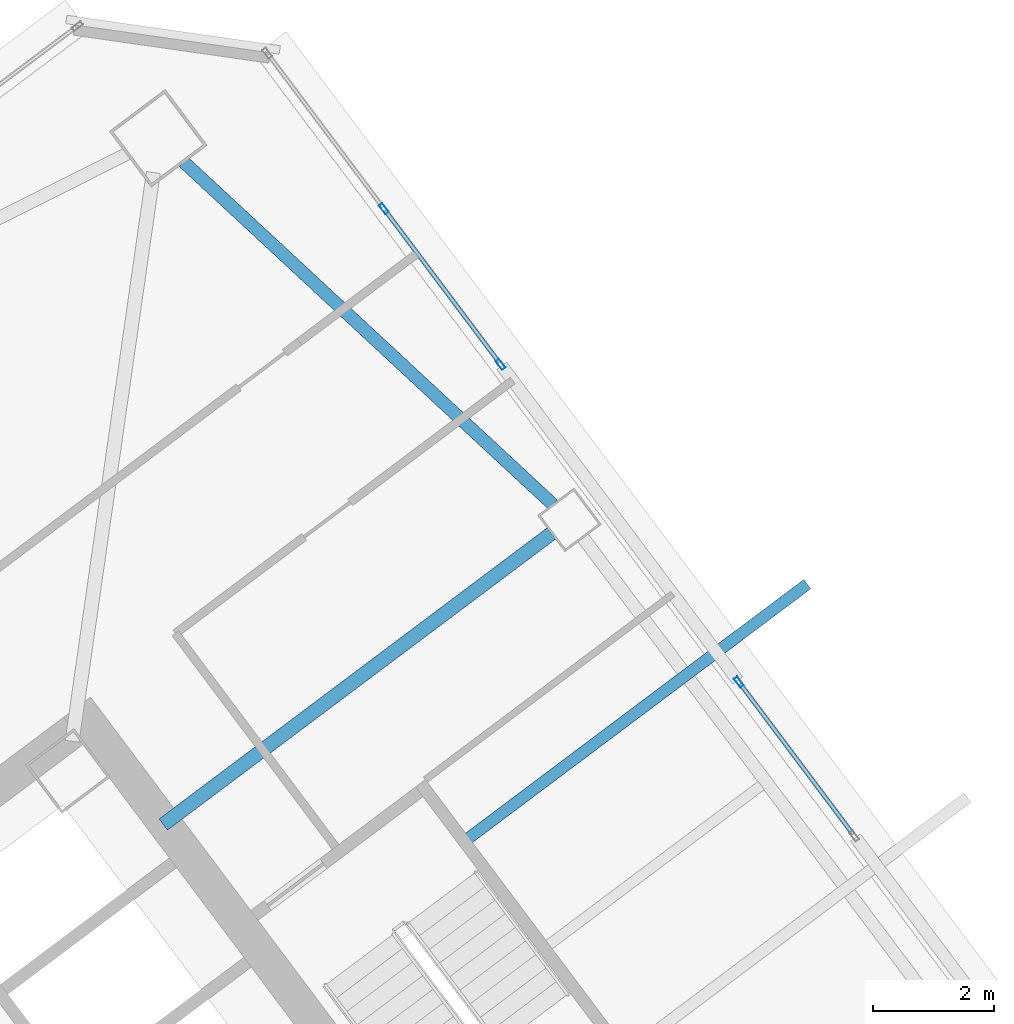
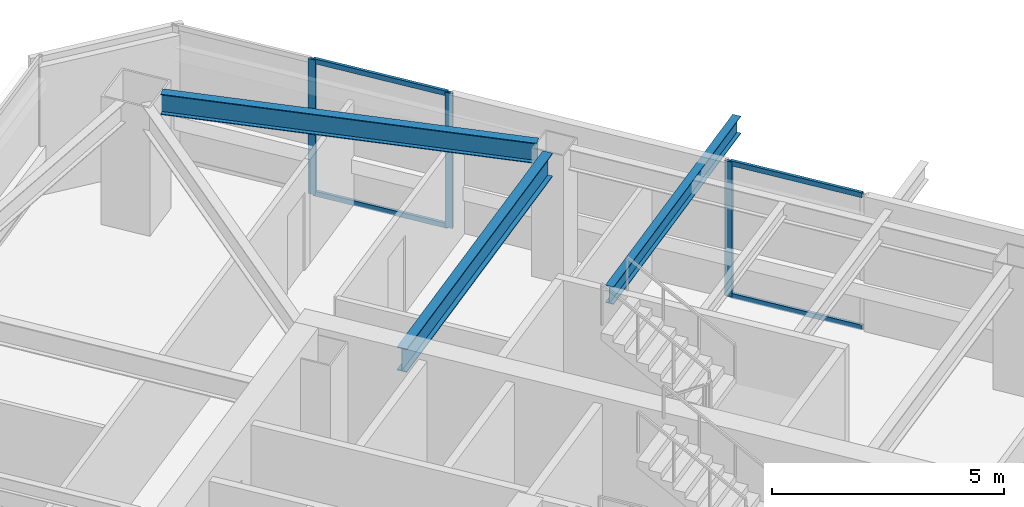
# One storey, part 31 of 44: 7 members, 3 beams, 2 elements without a shape of their own.
"""IFC4 building model written with IfcOpenShell, lengths in metres."""

from ifc_helpers import new_model, si_unit, direction, frame, origin, origin_2d, place, context, subcontext, project, spatial, hollow_rectangle, i_section, extrude, material, material_profile, profile_set, type_object, element, aggregate, save


model = new_model("IFC4")

# Units and contexts
model_context = context("Model", 3, precision=1e-05, world=origin(), true_north=direction((0.0, 1.0)))
body_context = subcontext(model_context, "Body", "Model", "MODEL_VIEW")
ifc_project = project(units=[si_unit("LENGTHUNIT", "METRE"), si_unit("AREAUNIT", "SQUARE_METRE"), si_unit("VOLUMEUNIT", "CUBIC_METRE"), si_unit("PLANEANGLEUNIT", "RADIAN"), si_unit("MASSUNIT", "GRAM", prefix="KILO")], contexts=[model_context])

# Site, building, storey
site_placement = place(None, origin())
site = spatial("IfcSite", under=ifc_project, at=site_placement, CompositionType="ELEMENT")
building_placement = place(site_placement, origin())
building = spatial("IfcBuilding", under=site, at=building_placement, Name="Tashvorn Skyway Center", CompositionType="ELEMENT")
storey_placement = place(building_placement, frame((0.0, 0.0, 181.85009765625)))
storey = spatial("IfcBuildingStorey", under=building, at=storey_placement, Name="L49", CompositionType="ELEMENT", Elevation=181.85009765625)

# Beams
ifc_material_1 = material(Name="Steel ASTM A992 Grade 50", Category="steel")
ifc_material_profile_1 = material_profile(ifc_material_1, i_section(OverallWidth=0.22998046875, OverallDepth=0.616943359375, WebThickness=0.01318359375, FlangeThickness=0.022216796875, at=origin_2d()), Name="W24X94")
ifc_profile_set_1 = profile_set([ifc_material_profile_1], Name="Steel ASTM A992 Grade 50")
beam_type_1 = type_object("IfcBeamType", Name="BM-BEAM-W24X94", PredefinedType="BEAM", material=ifc_profile_set_1)
beam_1_placement = place(storey_placement, frame((123.384033203125, 45.7880859375, 3.0615234375), z_axis=(-0.800003662027, -0.599995117266, 0.0), x_axis=(0.599995117266, -0.800003662027, 0.0)))
element("IfcBeam", 1, at=beam_1_placement, inside=storey, type_object=beam_type_1, Name="Tower 2 L49 Primary Floor Girder FC-E2", PredefinedType="BEAM", context=body_context, shape_type="SweptSolid", body=[
    extrude(i_section(OverallWidth=0.22998046875, OverallDepth=0.616943359375, WebThickness=0.01318359375, FlangeThickness=0.022216796875, at=origin_2d()), origin(), (0.0, 0.0, 1.0), 8.000244140625),
])
ifc_material_profile_2 = material_profile(ifc_material_1, i_section(OverallWidth=0.19091796875, OverallDepth=0.4599609375, WebThickness=0.010009765625, FlangeThickness=0.01611328125, at=origin_2d()), Name="W18X55")
ifc_profile_set_2 = profile_set([ifc_material_profile_2], Name="Steel ASTM A992 Grade 50")
beam_type_2 = type_object("IfcBeamType", Name="BM-JOIST-W18X55", PredefinedType="JOIST", material=ifc_profile_set_2)
beam_2_placement = place(storey_placement, frame((122.01611328125, 40.761962890625, 3.139892578125), z_axis=(0.8, 0.6, 0.0), x_axis=(-0.6, 0.8, 0.0)))
element("IfcBeam", 2, at=beam_2_placement, inside=storey, type_object=beam_type_2, Name="Tower 2 L50 Terrace Cantilever Outlooker 2", PredefinedType="JOIST", context=body_context, shape_type="SweptSolid", body=[
    extrude(i_section(OverallWidth=0.19091796875, OverallDepth=0.4599609375, WebThickness=0.010009765625, FlangeThickness=0.01611328125, at=origin_2d()), origin(), (0.0, 0.0, 1.0), 6.97998046875),
])
ifc_material_profile_3 = material_profile(ifc_material_1, i_section(OverallWidth=0.2109375, OverallDepth=0.5390625, WebThickness=0.01171875, FlangeThickness=0.018798828125, at=origin_2d()), Name="W21X73")
ifc_profile_set_3 = profile_set([ifc_material_profile_3], Name="Steel ASTM A992 Grade 50")
beam_type_3 = type_object("IfcBeamType", Name="BM-SPANDREL-W21X73", PredefinedType="SPANDREL", material=ifc_profile_set_3)
beam_3_placement = place(storey_placement, frame((123.40869140625, 46.26171875, 3.100341796875), z_axis=(-0.733101115618, 0.680119661736, 0.0), x_axis=(-0.680119661736, -0.733101115618, 0.0)))
element("IfcBeam", 3, at=beam_3_placement, inside=storey, type_object=beam_type_3, Name="Tower 2 L49 Spandrel Beam 06", PredefinedType="SPANDREL", context=body_context, shape_type="SweptSolid", body=[
    extrude(i_section(OverallWidth=0.2109375, OverallDepth=0.5390625, WebThickness=0.01171875, FlangeThickness=0.018798828125, at=origin_2d()), origin(), (0.0, 0.0, 1.0), 8.308349609375),
])

# Curtain wall, members
ifc_material_2 = material(Name="Thermally broken bronze-anodized aluminium 6063-T6", Category="aluminium")
curtain_wall_type = type_object("IfcCurtainWallType", Name="CW-CW-Z4", PredefinedType="NOTDEFINED", material=ifc_material_2)
curtain_wall_1_placement = place(storey_placement, origin())
curtain_wall_1 = element("IfcCurtainWall", 4, at=curtain_wall_1_placement, inside=storey, type_object=curtain_wall_type, Name="Tower 2 L49 East Unitised Curtain Wall Glazing Group 1", PredefinedType="NOTDEFINED")
ifc_material_profile_4 = material_profile(ifc_material_2, hollow_rectangle(XDim=0.070068359375, YDim=0.179931640625, WallThickness=0.00390625, at=origin_2d()), Name="ALU-MULL-70x180")
ifc_profile_set_4 = profile_set([ifc_material_profile_4], Name="Thermally broken bronze-anodized aluminium 6063-T6")
member_type_1 = type_object("IfcMemberType", Name="CWM-CW-Z4", PredefinedType="MULLION", material=ifc_profile_set_4)
member_1_placement = place(storey_placement, frame((120.6201171875, 51.139892578125, 0.0), z_axis=(0.0, 0.0, 1.0), x_axis=(0.799999999998, 0.600000000002, 0.0)))
member_1 = element("IfcMember", 5, at=member_1_placement, type_object=member_type_1, Name="CW-Z4 mullion 2", PredefinedType="MULLION", context=body_context, shape_type="SweptSolid", body=[
    extrude(hollow_rectangle(XDim=0.070068359375, YDim=0.179931640625, WallThickness=0.00390625, at=origin_2d()), origin(), (0.0, 0.0, 1.0), 3.5498046875),
])
member_2_placement = place(storey_placement, frame((122.54296875, 48.575927734375, 0.0), z_axis=(0.0, 0.0, 1.0), x_axis=(0.799999999998, 0.600000000002, 0.0)))
member_2 = element("IfcMember", 6, at=member_2_placement, type_object=member_type_1, Name="CW-Z4 mullion 3", PredefinedType="MULLION", context=body_context, shape_type="SweptSolid", body=[
    extrude(hollow_rectangle(XDim=0.070068359375, YDim=0.179931640625, WallThickness=0.00390625, at=origin_2d()), origin(), (0.0, 0.0, 1.0), 3.5498046875),
])

# Curtain wall, member
curtain_wall_2_placement = place(storey_placement, origin())
curtain_wall_2 = element("IfcCurtainWall", 7, at=curtain_wall_2_placement, inside=storey, type_object=curtain_wall_type, Name="Tower 2 L49 East Unitised Curtain Wall Glazing Group 2", PredefinedType="NOTDEFINED")
member_3_placement = place(storey_placement, frame((126.472900390625, 43.3359375, 0.0), z_axis=(0.0, 0.0, 1.0), x_axis=(0.799999999998, 0.600000000002, 0.0)))
member_3 = element("IfcMember", 8, at=member_3_placement, type_object=member_type_1, Name="CW-Z4 mullion 1", PredefinedType="MULLION", context=body_context, shape_type="SweptSolid", body=[
    extrude(hollow_rectangle(XDim=0.070068359375, YDim=0.179931640625, WallThickness=0.00390625, at=origin_2d()), origin(), (0.0, 0.0, 1.0), 3.5498046875),
])

# Member
ifc_material_profile_5 = material_profile(ifc_material_2, hollow_rectangle(XDim=0.070068359375, YDim=0.1298828125, WallThickness=0.00390625, at=origin_2d()), Name="ALU-TRAN-70x130")
ifc_profile_set_5 = profile_set([ifc_material_profile_5], Name="Thermally broken bronze-anodized aluminium 6063-T6")
member_type_2 = type_object("IfcMemberType", Name="CWT-CW-Z4", PredefinedType="USERDEFINED", material=ifc_profile_set_5)
member_4_placement = place(storey_placement, frame((120.64111328125, 51.112060546875, 0.034912109375), z_axis=(0.599962618496, -0.800028034763, 0.0), x_axis=(0.800028034763, 0.599962618496, 0.0)))
member_4 = element("IfcMember", 9, at=member_4_placement, type_object=member_type_2, Name="CW-Z4 transom 2.1", ObjectType="TRANSOM", PredefinedType="USERDEFINED", context=body_context, shape_type="SweptSolid", body=[
    extrude(hollow_rectangle(XDim=0.070068359375, YDim=0.1298828125, WallThickness=0.00390625, at=origin_2d()), origin(), (0.0, 0.0, 1.0), 3.135009765625),
])

member_5_placement = place(storey_placement, frame((120.64111328125, 51.112060546875, 3.514892578125), z_axis=(0.599962618496, -0.800028034763, 0.0), x_axis=(0.800028034763, 0.599962618496, 0.0)))
member_5 = element("IfcMember", 10, at=member_5_placement, type_object=member_type_2, Name="CW-Z4 transom 2.2", ObjectType="TRANSOM", PredefinedType="USERDEFINED", context=body_context, shape_type="SweptSolid", body=[
    extrude(hollow_rectangle(XDim=0.070068359375, YDim=0.1298828125, WallThickness=0.00390625, at=origin_2d()), origin(), (0.0, 0.0, 1.0), 3.135009765625),
])

aggregate(curtain_wall_1, [member_1, member_2, member_4, member_5])

member_6_placement = place(storey_placement, frame((126.493896484375, 43.30810546875, 0.034912109375), z_axis=(0.599987400111, -0.800009449761, 0.0), x_axis=(0.800009449761, 0.599987400111, 0.0)))
member_6 = element("IfcMember", 11, at=member_6_placement, type_object=member_type_2, Name="CW-Z4 transom 1.1", ObjectType="TRANSOM", PredefinedType="USERDEFINED", context=body_context, shape_type="SweptSolid", body=[
    extrude(hollow_rectangle(XDim=0.070068359375, YDim=0.1298828125, WallThickness=0.00390625, at=origin_2d()), origin(), (0.0, 0.0, 1.0), 3.100341796875),
])

member_7_placement = place(storey_placement, frame((126.493896484375, 43.30810546875, 3.514892578125), z_axis=(0.599987400111, -0.800009449761, 0.0), x_axis=(0.800009449761, 0.599987400111, 0.0)))
member_7 = element("IfcMember", 12, at=member_7_placement, type_object=member_type_2, Name="CW-Z4 transom 1.2", ObjectType="TRANSOM", PredefinedType="USERDEFINED", context=body_context, shape_type="SweptSolid", body=[
    extrude(hollow_rectangle(XDim=0.070068359375, YDim=0.1298828125, WallThickness=0.00390625, at=origin_2d()), origin(), (0.0, 0.0, 1.0), 3.100341796875),
])

aggregate(curtain_wall_2, [member_3, member_6, member_7])

save(model, "model.ifc")
